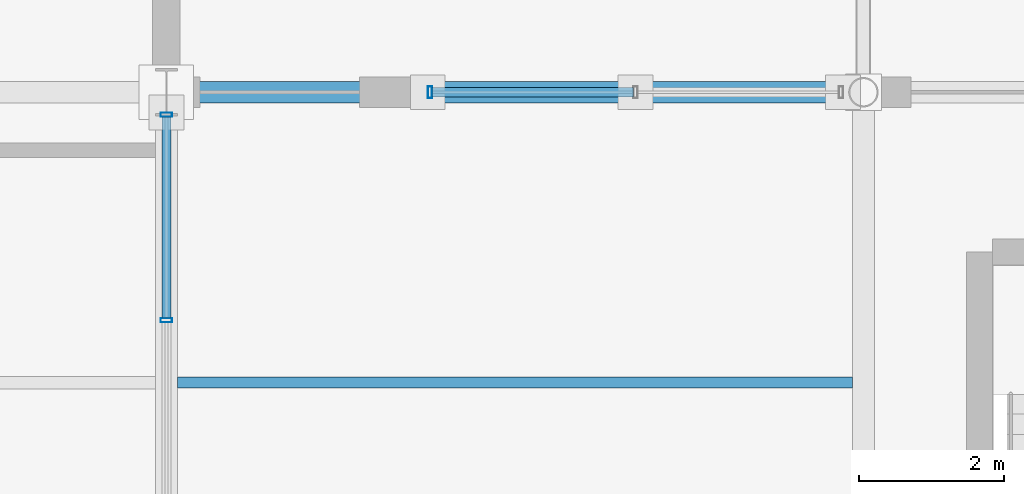
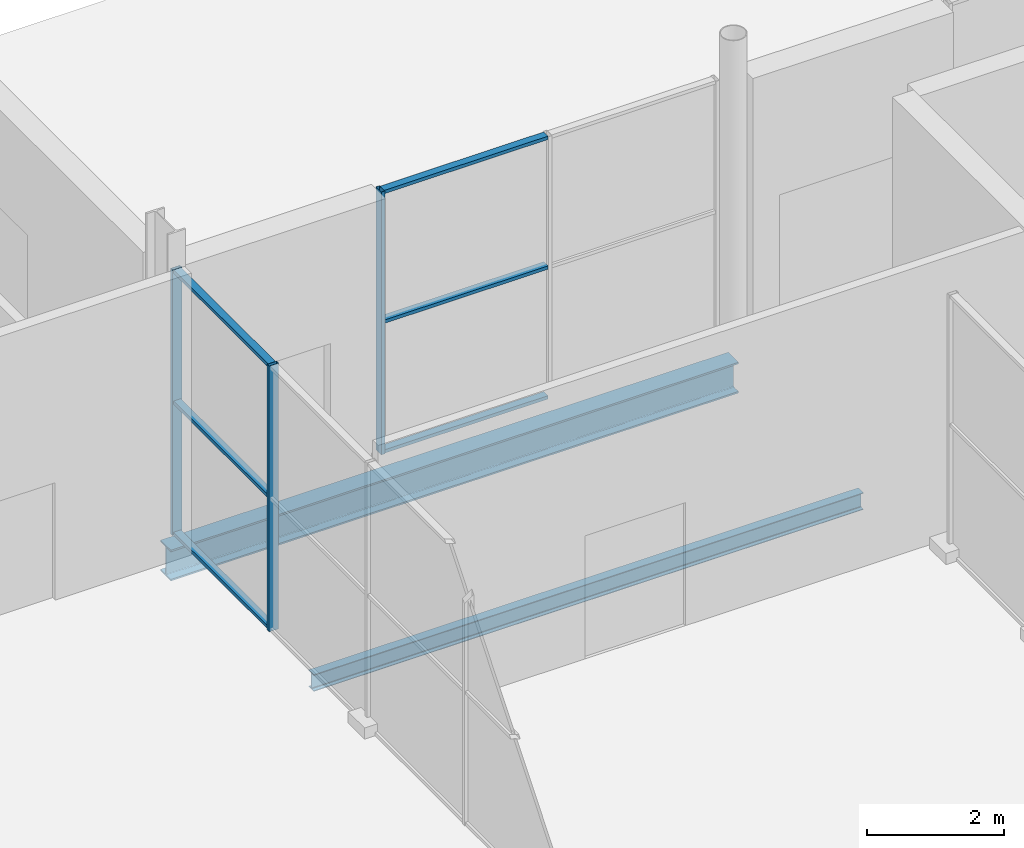
# One storey, part 110 of 196: 9 members, 2 beams, 2 elements without a shape of their own.
"""IFC4 building model written with IfcOpenShell, lengths in metres."""

from ifc_helpers import new_model, si_unit, direction, frame, origin, origin_2d, place, context, subcontext, project, spatial, hollow_rectangle, i_section, extrude, material, material_profile, profile_set, type_object, element, aggregate, save


model = new_model("IFC4")

# Units and contexts
model_context = context("Model", 3, precision=1e-05, world=origin(), true_north=direction((0.0, 1.0)))
body_context = subcontext(model_context, "Body", "Model", "MODEL_VIEW")
ifc_project = project(units=[si_unit("LENGTHUNIT", "METRE"), si_unit("AREAUNIT", "SQUARE_METRE"), si_unit("VOLUMEUNIT", "CUBIC_METRE"), si_unit("PLANEANGLEUNIT", "RADIAN"), si_unit("MASSUNIT", "GRAM", prefix="KILO")], contexts=[model_context])

# Site, building, storey
site_placement = place(None, origin())
site = spatial("IfcSite", under=ifc_project, at=site_placement, CompositionType="ELEMENT")
building_placement = place(site_placement, origin())
building = spatial("IfcBuilding", under=site, at=building_placement, Name="Merenkruunu Market Hall", CompositionType="ELEMENT")
storey_placement = place(building_placement, origin())
storey = spatial("IfcBuildingStorey", under=building, at=storey_placement, Name="L00", CompositionType="ELEMENT", Elevation=0.0)

# Curtain wall, members
ifc_material_1 = material(Name="Powder-coated aluminium", Category="aluminium")
curtain_wall_type_1 = type_object("IfcCurtainWallType", Name="Glazed Curtain Wall CW02", PredefinedType="USERDEFINED", material=ifc_material_1)
curtain_wall_1_placement = place(storey_placement, origin())
curtain_wall_1 = element("IfcCurtainWall", 1, at=curtain_wall_1_placement, inside=storey, type_object=curtain_wall_type_1, Name="CW-L00-CWM01-135", ObjectType="GLAZED_FACADE", PredefinedType="USERDEFINED")
ifc_material_profile_1 = material_profile(ifc_material_1, hollow_rectangle(XDim=0.06005859375, YDim=0.159912109375, WallThickness=0.00390625, at=origin_2d()), Name="ALU 60x160x4")
ifc_profile_set_1 = profile_set([ifc_material_profile_1], Name="Powder-coated aluminium")
member_type_1 = type_object("IfcMemberType", Name="Curtain Wall Mullion CWM01", PredefinedType="MULLION", material=ifc_profile_set_1)
member_1_placement = place(storey_placement, frame((57.60009765625, 96.4599609375, 0.0), z_axis=(0.0, 0.0, 1.0), x_axis=(0.0, 1.0, 0.0)))
member_1 = element("IfcMember", 2, at=member_1_placement, type_object=member_type_1, Name="CW02 mullion 4", PredefinedType="MULLION", context=body_context, shape_type="SweptSolid", body=[
    extrude(hollow_rectangle(XDim=0.06005859375, YDim=0.159912109375, WallThickness=0.00390625, at=origin_2d()), origin(), (0.0, 0.0, 1.0), 4.75),
])
member_2_placement = place(storey_placement, frame((57.60009765625, 99.2900390625, 0.0), z_axis=(0.0, 0.0, 1.0), x_axis=(0.0, 1.0, 0.0)))
member_2 = element("IfcMember", 3, at=member_2_placement, type_object=member_type_1, Name="CW02 mullion 5", PredefinedType="MULLION", context=body_context, shape_type="SweptSolid", body=[
    extrude(hollow_rectangle(XDim=0.06005859375, YDim=0.159912109375, WallThickness=0.00390625, at=origin_2d()), origin(), (0.0, 0.0, 1.0), 4.75),
])

# Curtain wall, member
curtain_wall_type_2 = type_object("IfcCurtainWallType", Name="Glazed Curtain Wall CW06", PredefinedType="USERDEFINED", material=ifc_material_1)
curtain_wall_2_placement = place(storey_placement, origin())
curtain_wall_2 = element("IfcCurtainWall", 4, at=curtain_wall_2_placement, inside=storey, type_object=curtain_wall_type_2, Name="CW-L00-CWM01-142", ObjectType="GLAZED_FACADE", PredefinedType="USERDEFINED")
member_3_placement = place(storey_placement, frame((61.22998046875, 99.60009765625, 0.0), z_axis=(0.0, 0.0, 1.0), x_axis=(1.0, 0.0, 0.0)))
member_3 = element("IfcMember", 5, at=member_3_placement, type_object=member_type_1, Name="CW06 mullion 1", PredefinedType="MULLION", context=body_context, shape_type="SweptSolid", body=[
    extrude(hollow_rectangle(XDim=0.06005859375, YDim=0.159912109375, WallThickness=0.00390625, at=origin_2d()), origin(), (0.0, 0.0, 1.0), 4.699951171875),
])

# Member
ifc_material_profile_2 = material_profile(ifc_material_1, hollow_rectangle(XDim=0.06005859375, YDim=0.125, WallThickness=0.00390625, at=origin_2d()), Name="ALU 60x125x4")
ifc_profile_set_2 = profile_set([ifc_material_profile_2], Name="Powder-coated aluminium")
member_type_2 = type_object("IfcMemberType", Name="Curtain Wall Transom CWT01", PredefinedType="USERDEFINED", material=ifc_profile_set_2)
member_4_placement = place(storey_placement, frame((57.60009765625, 96.489990234375, 0.030029296875), z_axis=(0.0, 1.0, 0.0), x_axis=(0.0, 0.0, 1.0)))
member_4 = element("IfcMember", 6, at=member_4_placement, type_object=member_type_2, Name="CW02 transom 4.1", ObjectType="TRANSOM", PredefinedType="USERDEFINED", context=body_context, shape_type="SweptSolid", body=[
    extrude(hollow_rectangle(XDim=0.06005859375, YDim=0.125, WallThickness=0.00390625, at=origin_2d()), origin(), (0.0, 0.0, 1.0), 2.77001953125),
])

member_5_placement = place(storey_placement, frame((57.60009765625, 96.489990234375, 2.375), z_axis=(0.0, 1.0, 0.0), x_axis=(0.0, 0.0, 1.0)))
member_5 = element("IfcMember", 7, at=member_5_placement, type_object=member_type_2, Name="CW02 transom 4.2", ObjectType="TRANSOM", PredefinedType="USERDEFINED", context=body_context, shape_type="SweptSolid", body=[
    extrude(hollow_rectangle(XDim=0.06005859375, YDim=0.125, WallThickness=0.00390625, at=origin_2d()), origin(), (0.0, 0.0, 1.0), 2.77001953125),
])

member_6_placement = place(storey_placement, frame((57.60009765625, 96.489990234375, 4.719970703125), z_axis=(0.0, 1.0, 0.0), x_axis=(0.0, 0.0, 1.0)))
member_6 = element("IfcMember", 8, at=member_6_placement, type_object=member_type_2, Name="CW02 transom 4.3", ObjectType="TRANSOM", PredefinedType="USERDEFINED", context=body_context, shape_type="SweptSolid", body=[
    extrude(hollow_rectangle(XDim=0.06005859375, YDim=0.125, WallThickness=0.00390625, at=origin_2d()), origin(), (0.0, 0.0, 1.0), 2.77001953125),
])

aggregate(curtain_wall_1, [member_1, member_2, member_4, member_5, member_6])

member_7_placement = place(storey_placement, frame((61.260009765625, 99.60009765625, 0.030029296875), z_axis=(1.0, 0.0, 0.0), x_axis=(0.0, 0.0, 1.0)))
member_7 = element("IfcMember", 9, at=member_7_placement, type_object=member_type_2, Name="CW06 transom 1.1", ObjectType="TRANSOM", PredefinedType="USERDEFINED", context=body_context, shape_type="SweptSolid", body=[
    extrude(hollow_rectangle(XDim=0.06005859375, YDim=0.125, WallThickness=0.00390625, at=origin_2d()), origin(), (0.0, 0.0, 1.0), 2.77001953125),
])

member_8_placement = place(storey_placement, frame((61.260009765625, 99.60009765625, 2.35009765625), z_axis=(1.0, 0.0, 0.0), x_axis=(0.0, 0.0, 1.0)))
member_8 = element("IfcMember", 10, at=member_8_placement, type_object=member_type_2, Name="CW06 transom 1.2", ObjectType="TRANSOM", PredefinedType="USERDEFINED", context=body_context, shape_type="SweptSolid", body=[
    extrude(hollow_rectangle(XDim=0.06005859375, YDim=0.125, WallThickness=0.00390625, at=origin_2d()), origin(), (0.0, 0.0, 1.0), 2.77001953125),
])

member_9_placement = place(storey_placement, frame((61.260009765625, 99.60009765625, 4.669921875), z_axis=(1.0, 0.0, 0.0), x_axis=(0.0, 0.0, 1.0)))
member_9 = element("IfcMember", 11, at=member_9_placement, type_object=member_type_2, Name="CW06 transom 1.3", ObjectType="TRANSOM", PredefinedType="USERDEFINED", context=body_context, shape_type="SweptSolid", body=[
    extrude(hollow_rectangle(XDim=0.06005859375, YDim=0.125, WallThickness=0.00390625, at=origin_2d()), origin(), (0.0, 0.0, 1.0), 2.77001953125),
])

aggregate(curtain_wall_2, [member_3, member_7, member_8, member_9])

# Beams
ifc_material_2 = material(Name="Steel S355J2", Category="steel")
ifc_material_profile_3 = material_profile(ifc_material_2, i_section(OverallWidth=0.300048828125, OverallDepth=0.550048828125, WebThickness=0.014892578125, FlangeThickness=0.029052734375, FilletRadius=0.027099609375, at=origin_2d()), Name="HEB 550")
ifc_profile_set_3 = profile_set([ifc_material_profile_3], Name="Steel S355J2")
beam_type_1 = type_object("IfcBeamType", Name="Primary Floor Girder B02", PredefinedType="BEAM", material=ifc_profile_set_3)
beam_1_placement = place(storey_placement, frame((57.60009765625, 99.60009765625, -0.675048828125), z_axis=(1.0, 0.0, 0.0), x_axis=(0.0, 1.0, 0.0)))
element("IfcBeam", 12, at=beam_1_placement, inside=storey, type_object=beam_type_1, Name="BM-L00-B02-0120", PredefinedType="BEAM", context=body_context, shape_type="SweptSolid", body=[
    extrude(i_section(OverallWidth=0.300048828125, OverallDepth=0.550048828125, WebThickness=0.014892578125, FlangeThickness=0.029052734375, FilletRadius=0.027099609375, at=origin_2d()), origin(), (0.0, 0.0, 1.0), 9.599853515625),
])
ifc_material_profile_4 = material_profile(ifc_material_2, i_section(OverallWidth=0.14990234375, OverallDepth=0.300048828125, WebThickness=0.007080078125, FlangeThickness=0.0107421875, FilletRadius=0.014892578125, at=origin_2d()), Name="IPE 300")
ifc_profile_set_4 = profile_set([ifc_material_profile_4], Name="Steel S355J2")
beam_type_2 = type_object("IfcBeamType", Name="Secondary Floor Joist J04", PredefinedType="JOIST", material=ifc_profile_set_4)
beam_2_placement = place(storey_placement, frame((57.7529296875, 95.60009765625, -0.449951171875), z_axis=(1.0, 0.0, 0.0), x_axis=(0.0, 1.0, 0.0)))
element("IfcBeam", 13, at=beam_2_placement, inside=storey, type_object=beam_type_2, Name="BM-L00-J04-0357", PredefinedType="JOIST", context=body_context, shape_type="SweptSolid", body=[
    extrude(i_section(OverallWidth=0.14990234375, OverallDepth=0.300048828125, WebThickness=0.007080078125, FlangeThickness=0.0107421875, FilletRadius=0.014892578125, at=origin_2d()), origin(), (0.0, 0.0, 1.0), 9.294189453125),
])

save(model, "model.ifc")
